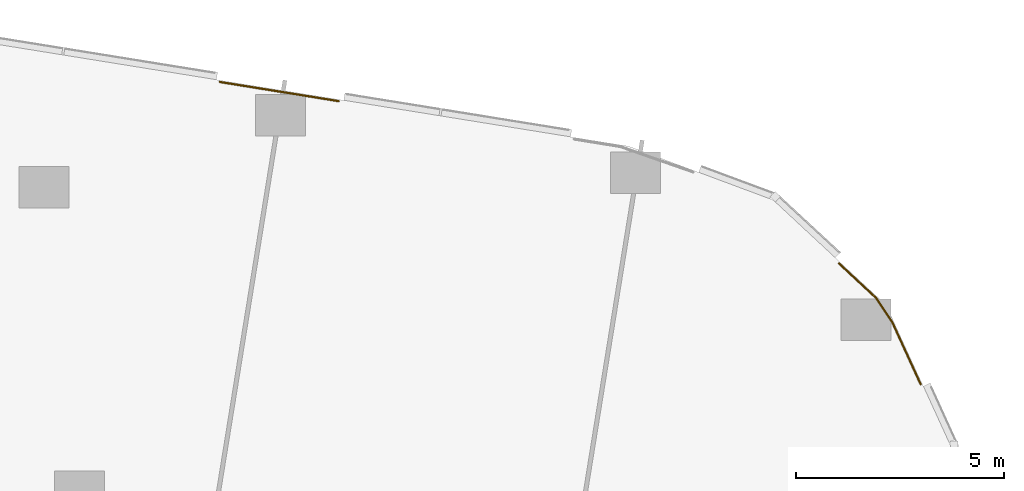
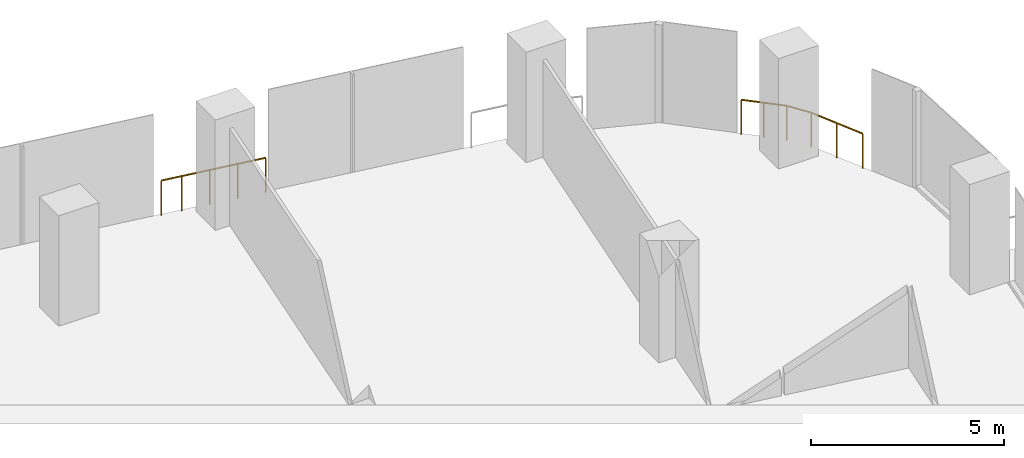
# One storey, part 32 of 32: 4 railings.
"""IFC4 building model written with IfcOpenShell, lengths in metres."""

from ifc_helpers import new_model, si_unit, direction, frame, origin, origin_2d, place, context, subcontext, project, spatial, circle, extrude, material, type_object, element, save


model = new_model("IFC4")

# Units and contexts
model_context = context("Model", 3, precision=1e-05, world=origin(), true_north=direction((0.0, 1.0)))
body_context = subcontext(model_context, "Body", "Model", "MODEL_VIEW")
ifc_project = project(units=[si_unit("LENGTHUNIT", "METRE"), si_unit("AREAUNIT", "SQUARE_METRE"), si_unit("VOLUMEUNIT", "CUBIC_METRE"), si_unit("PLANEANGLEUNIT", "RADIAN"), si_unit("MASSUNIT", "GRAM", prefix="KILO")], contexts=[model_context])

# Site, building, storey
site_placement = place(None, origin())
site = spatial("IfcSite", under=ifc_project, at=site_placement, CompositionType="ELEMENT")
building_placement = place(site_placement, origin())
building = spatial("IfcBuilding", under=site, at=building_placement, Name="Orlundy Tower", CompositionType="ELEMENT")
storey_placement = place(building_placement, frame((0.0, 0.0, 123.699951171875)))
storey = spatial("IfcBuildingStorey", under=building, at=storey_placement, Name="L31", CompositionType="ELEMENT", Elevation=123.699951171875)

# Railings
ifc_material = material(Name="Stainless steel bronze finish", Category="steel")
railing_type = type_object("IfcRailingType", Name="TG1 terrace guard", PredefinedType="GUARDRAIL", material=ifc_material)
railing_1_placement = place(storey_placement, frame((57.59716796875, 8.966064453125, 0.0)))
element("IfcRailing", 1, at=railing_1_placement, inside=storey, type_object=railing_type, Name="Guard TG-L31-E02", PredefinedType="GUARDRAIL", context=body_context, shape_type="SweptSolid", body=[
    extrude(circle(Radius=0.02490234375, at=origin_2d()), frame((0.0, 0.0, 1.09521484375), z_axis=(0.732427385844, -0.680845154544, 0.0), x_axis=(0.680845154544, 0.732427385844, 0.0)), (0.0, 0.0, 1.0), 1.211669921875),
    extrude(circle(Radius=0.02490234375, at=origin_2d()), frame((0.887451171875, -0.824951171875, 1.09521484375), z_axis=(0.556523356011, -0.830831965089, 0.0), x_axis=(0.830831965089, 0.556523356011, 0.0)), (0.0, 0.0, 1.0), 0.710205078125),
    extrude(circle(Radius=0.02490234375, at=origin_2d()), frame((1.28271484375, -1.4150390625, 1.09521484375), z_axis=(0.416061524611, -0.909336465638, 0.0), x_axis=(0.909336465638, 0.416061524611, 0.0)), (0.0, 0.0, 1.0), 1.644287109375),
    extrude(circle(Radius=0.02001953125, at=origin_2d()), origin(), (0.0, 0.0, 1.0), 1.070068359375),
    extrude(circle(Radius=0.02001953125, at=origin_2d()), frame((0.44384765625, -0.41259765625, 0.0)), (0.0, 0.0, 1.0), 1.070068359375),
    extrude(circle(Radius=0.02001953125, at=origin_2d()), frame((0.887451171875, -0.824951171875, 0.0)), (0.0, 0.0, 1.0), 1.070068359375),
    extrude(circle(Radius=0.02001953125, at=origin_2d()), frame((1.28271484375, -1.4150390625, 0.0)), (0.0, 0.0, 1.0), 1.070068359375),
    extrude(circle(Radius=0.02001953125, at=origin_2d()), frame((1.624755859375, -2.16259765625, 0.0)), (0.0, 0.0, 1.0), 1.070068359375),
    extrude(circle(Radius=0.02001953125, at=origin_2d()), frame((1.966796875, -2.91015625, 0.0)), (0.0, 0.0, 1.0), 1.070068359375),
])
railing_2_placement = place(storey_placement, frame((43.28369140625, 13.2333984375, 0.0)))
element("IfcRailing", 2, at=railing_2_placement, inside=storey, type_object=railing_type, Name="Guard TG-L31-E023", PredefinedType="GUARDRAIL", context=body_context, shape_type="SweptSolid", body=[
    extrude(circle(Radius=0.02490234375, at=origin_2d()), frame((0.0, 0.0, 1.09521484375), z_axis=(0.987223635553, -0.159340808976, 0.0), x_axis=(0.159340808976, 0.987223635553, 0.0)), (0.0, 0.0, 1.0), 1.558349609375),
    extrude(circle(Radius=0.02001953125, at=origin_2d()), origin(), (0.0, 0.0, 1.0), 1.070068359375),
    extrude(circle(Radius=0.02001953125, at=origin_2d()), frame((0.76904296875, -0.1240234375, 0.0)), (0.0, 0.0, 1.0), 1.070068359375),
    extrude(circle(Radius=0.02001953125, at=origin_2d()), frame((1.538330078125, -0.248291015625, 0.0)), (0.0, 0.0, 1.0), 1.070068359375),
])
railing_3_placement = place(storey_placement, frame((44.822021484375, 12.985107421875, 0.0)))
element("IfcRailing", 3, at=railing_3_placement, inside=storey, type_object=railing_type, Name="Guard TG-L31-E029", PredefinedType="GUARDRAIL", context=body_context, shape_type="SweptSolid", body=[
    extrude(circle(Radius=0.02490234375, at=origin_2d()), frame((0.0, 0.0, 1.09521484375), z_axis=(0.98723635088, -0.15926200897, 0.0), x_axis=(0.15926200897, 0.98723635088, 0.0)), (0.0, 0.0, 1.0), 0.77880859375),
    extrude(circle(Radius=0.02001953125, at=origin_2d()), origin(), (0.0, 0.0, 1.0), 1.070068359375),
    extrude(circle(Radius=0.02001953125, at=origin_2d()), frame((0.768798828125, -0.1240234375, 0.0)), (0.0, 0.0, 1.0), 1.070068359375),
])
railing_4_placement = place(storey_placement, frame((42.728271484375, 13.322998046875, 0.0)))
element("IfcRailing", 4, at=railing_4_placement, inside=storey, type_object=railing_type, Name="Guard TG-L31-E030", PredefinedType="GUARDRAIL", context=body_context, shape_type="SweptSolid", body=[
    extrude(circle(Radius=0.02490234375, at=origin_2d()), frame((0.0, 0.0, 1.09521484375), z_axis=(0.987236719218, -0.159259725694, 0.0), x_axis=(0.159259725694, 0.987236719218, 0.0)), (0.0, 0.0, 1.0), 0.5625),
    extrude(circle(Radius=0.02001953125, at=origin_2d()), origin(), (0.0, 0.0, 1.0), 1.070068359375),
    extrude(circle(Radius=0.02001953125, at=origin_2d()), frame((0.555419921875, -0.089599609375, 0.0)), (0.0, 0.0, 1.0), 1.070068359375),
])

save(model, "model.ifc")
